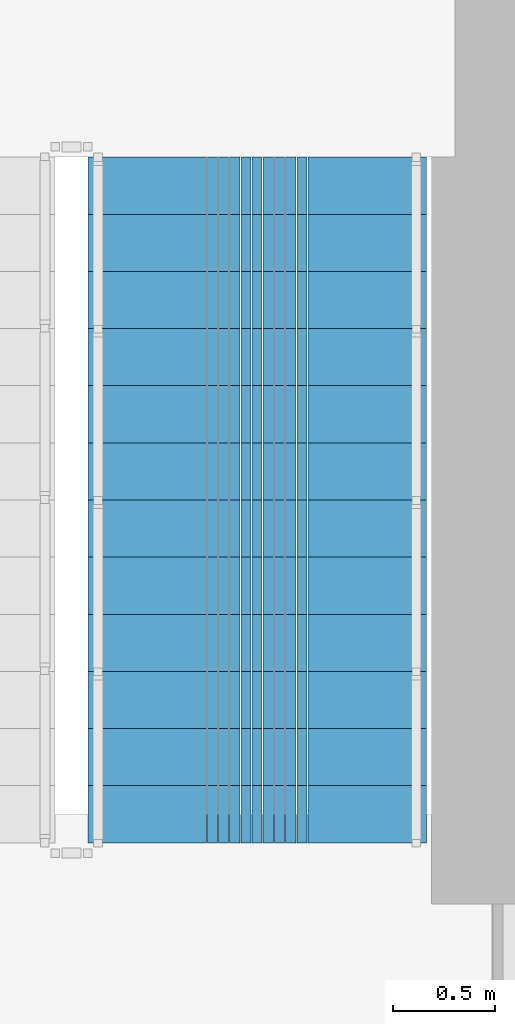
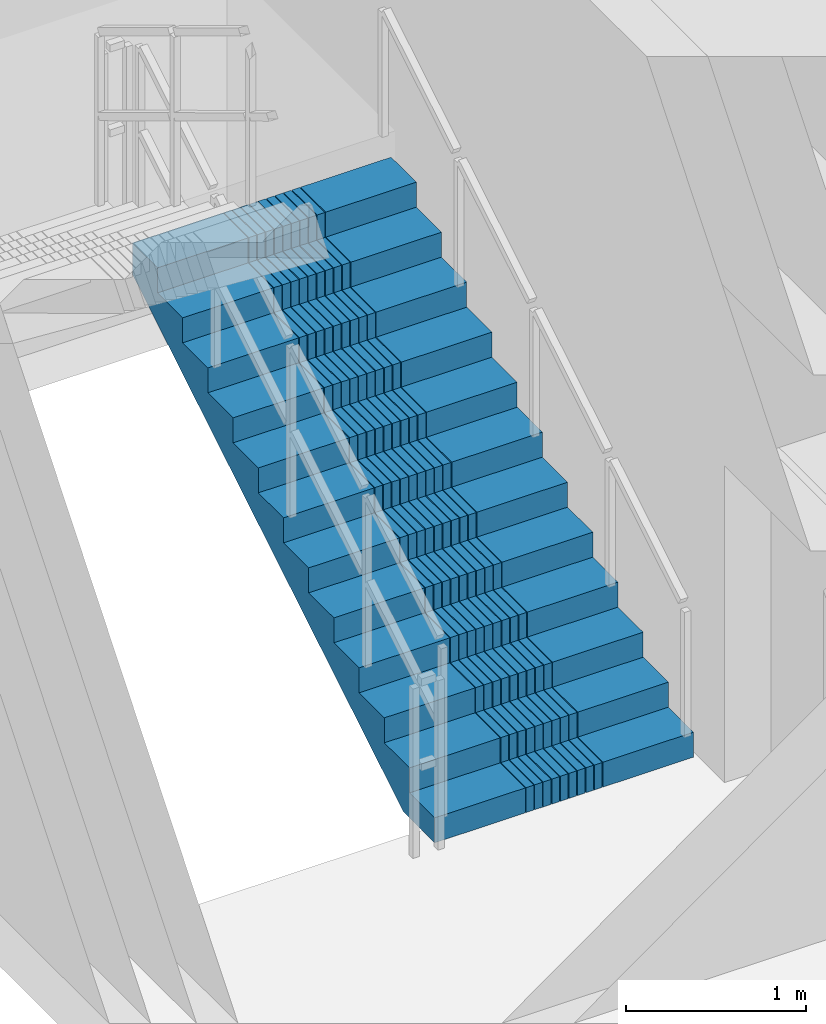
# One storey, part 23 of 28: 1 stair flight, 1 element without a shape of its own.
"""IFC4 building model written with IfcOpenShell, lengths in metres."""

from ifc_helpers import new_model, si_unit, direction, frame, origin, place, context, subcontext, project, spatial, polyline, outline, extrude, material, type_object, element, aggregate, save


model = new_model("IFC4")

# Units and contexts
model_context = context("Model", 3, precision=1e-05, world=origin(), true_north=direction((0.0, 1.0)))
body_context = subcontext(model_context, "Body", "Model", "MODEL_VIEW")
ifc_project = project(units=[si_unit("LENGTHUNIT", "METRE"), si_unit("AREAUNIT", "SQUARE_METRE"), si_unit("VOLUMEUNIT", "CUBIC_METRE"), si_unit("PLANEANGLEUNIT", "RADIAN"), si_unit("MASSUNIT", "GRAM", prefix="KILO")], contexts=[model_context])

# Site, building, storey
site_placement = place(None, origin())
site = spatial("IfcSite", under=ifc_project, at=site_placement, CompositionType="ELEMENT")
building_placement = place(site_placement, origin())
building = spatial("IfcBuilding", under=site, at=building_placement, Name="Saelheon Loggia Tower", CompositionType="ELEMENT")
storey_placement = place(building_placement, frame((0.0, 0.0, 15.0)))
storey = spatial("IfcBuildingStorey", under=building, at=storey_placement, Name="L04", CompositionType="ELEMENT", Elevation=15.0)

# Stair, stair flight
ifc_material = material(Name="Concrete C40/50", Category="concrete")
stair_type = type_object("IfcStairType", Name="Stair_Escape_Core", PredefinedType="HALF_TURN_STAIR", material=ifc_material)
stair_placement = place(storey_placement, origin())
stair = element("IfcStair", 1, at=stair_placement, inside=storey, type_object=stair_type, Name="L04 Special Escape Stair ST2", PredefinedType="HALF_TURN_STAIR")
stair_flight_type = type_object("IfcStairFlightType", Name="StairFlight_Tower_1660", PredefinedType="STRAIGHT", material=ifc_material)
stair_flight_placement = place(storey_placement, frame((43.320068359375, 30.449951171875, 0.0), z_axis=(0.0, 0.0, 1.0), x_axis=(0.0, 1.0, 0.0)))
stair_flight = element("IfcStairFlight", 2, at=stair_flight_placement, type_object=stair_flight_type, Name="ST2 flight 1", NumberOfRisers=13, NumberOfTreads=12, PredefinedType="STRAIGHT", RiserHeight=0.169230769, TreadLength=0.28, context=body_context, shape_type="SweptSolid", body=[
    extrude(outline(polyline([(0.0, 0.0), (0.0, 0.169189453125), (0.280029296875, 0.169189453125), (0.280029296875, 0.33837890625), (0.56005859375, 0.33837890625), (0.56005859375, 0.5078125), (0.840087890625, 0.5078125), (0.840087890625, 0.677001953125), (1.1201171875, 0.677001953125), (1.1201171875, 0.84619140625), (1.39990234375, 0.84619140625), (1.39990234375, 1.015380859375), (1.679931640625, 1.015380859375), (1.679931640625, 1.1845703125), (1.9599609375, 1.1845703125), (1.9599609375, 1.353759765625), (2.239990234375, 1.353759765625), (2.239990234375, 1.523193359375), (2.52001953125, 1.523193359375), (2.52001953125, 1.6923828125), (2.800048828125, 1.6923828125), (2.800048828125, 1.861572265625), (3.080078125, 1.861572265625), (3.080078125, 2.03076171875), (3.360107421875, 2.03076171875), (3.360107421875, 2.199951171875), (3.360107421875, 1.820556640625), (0.347900390625, 0.0), (0.0, 0.0)])), frame((0.0, -0.2490234375, 0.0), z_axis=(0.0, -1.0, 0.0), x_axis=(1.0, 0.0, 0.0)), (0.0, 0.0, 1.0), 0.5810546875),
    extrude(outline(polyline([(0.0, 0.0), (0.0, 0.169189453125), (0.280029296875, 0.169189453125), (0.280029296875, 0.33837890625), (0.56005859375, 0.33837890625), (0.56005859375, 0.5078125), (0.840087890625, 0.5078125), (0.840087890625, 0.677001953125), (1.1201171875, 0.677001953125), (1.1201171875, 0.84619140625), (1.39990234375, 0.84619140625), (1.39990234375, 1.015380859375), (1.679931640625, 1.015380859375), (1.679931640625, 1.1845703125), (1.9599609375, 1.1845703125), (1.9599609375, 1.353759765625), (2.239990234375, 1.353759765625), (2.239990234375, 1.523193359375), (2.52001953125, 1.523193359375), (2.52001953125, 1.6923828125), (2.800048828125, 1.6923828125), (2.800048828125, 1.861572265625), (3.080078125, 1.861572265625), (3.080078125, 2.03076171875), (3.360107421875, 2.03076171875), (3.360107421875, 2.199951171875), (3.360107421875, 1.820556640625), (0.347900390625, 0.0), (0.0, 0.0)])), frame((0.0, -0.194091796875, 0.0), z_axis=(0.0, -1.0, 0.0), x_axis=(1.0, 0.0, 0.0)), (0.0, 0.0, 1.0), 0.0498046875),
    extrude(outline(polyline([(0.0, 0.0), (0.0, 0.169189453125), (0.280029296875, 0.169189453125), (0.280029296875, 0.33837890625), (0.56005859375, 0.33837890625), (0.56005859375, 0.5078125), (0.840087890625, 0.5078125), (0.840087890625, 0.677001953125), (1.1201171875, 0.677001953125), (1.1201171875, 0.84619140625), (1.39990234375, 0.84619140625), (1.39990234375, 1.015380859375), (1.679931640625, 1.015380859375), (1.679931640625, 1.1845703125), (1.9599609375, 1.1845703125), (1.9599609375, 1.353759765625), (2.239990234375, 1.353759765625), (2.239990234375, 1.523193359375), (2.52001953125, 1.523193359375), (2.52001953125, 1.6923828125), (2.800048828125, 1.6923828125), (2.800048828125, 1.861572265625), (3.080078125, 1.861572265625), (3.080078125, 2.03076171875), (3.360107421875, 2.03076171875), (3.360107421875, 2.199951171875), (3.360107421875, 1.820556640625), (0.347900390625, 0.0), (0.0, 0.0)])), frame((0.0, -0.139404296875, 0.0), z_axis=(0.0, -1.0, 0.0), x_axis=(1.0, 0.0, 0.0)), (0.0, 0.0, 1.0), 0.0498046875),
    extrude(outline(polyline([(0.0, 0.0), (0.0, 0.169189453125), (0.280029296875, 0.169189453125), (0.280029296875, 0.33837890625), (0.56005859375, 0.33837890625), (0.56005859375, 0.5078125), (0.840087890625, 0.5078125), (0.840087890625, 0.677001953125), (1.1201171875, 0.677001953125), (1.1201171875, 0.84619140625), (1.39990234375, 0.84619140625), (1.39990234375, 1.015380859375), (1.679931640625, 1.015380859375), (1.679931640625, 1.1845703125), (1.9599609375, 1.1845703125), (1.9599609375, 1.353759765625), (2.239990234375, 1.353759765625), (2.239990234375, 1.523193359375), (2.52001953125, 1.523193359375), (2.52001953125, 1.6923828125), (2.800048828125, 1.6923828125), (2.800048828125, 1.861572265625), (3.080078125, 1.861572265625), (3.080078125, 2.03076171875), (3.360107421875, 2.03076171875), (3.360107421875, 2.199951171875), (3.360107421875, 1.820556640625), (0.347900390625, 0.0), (0.0, 0.0)])), frame((0.0, -0.084716796875, 0.0), z_axis=(0.0, -1.0, 0.0), x_axis=(1.0, 0.0, 0.0)), (0.0, 0.0, 1.0), 0.0498046875),
    extrude(outline(polyline([(0.0, 0.0), (0.0, 0.169189453125), (0.280029296875, 0.169189453125), (0.280029296875, 0.33837890625), (0.56005859375, 0.33837890625), (0.56005859375, 0.5078125), (0.840087890625, 0.5078125), (0.840087890625, 0.677001953125), (1.1201171875, 0.677001953125), (1.1201171875, 0.84619140625), (1.39990234375, 0.84619140625), (1.39990234375, 1.015380859375), (1.679931640625, 1.015380859375), (1.679931640625, 1.1845703125), (1.9599609375, 1.1845703125), (1.9599609375, 1.353759765625), (2.239990234375, 1.353759765625), (2.239990234375, 1.523193359375), (2.52001953125, 1.523193359375), (2.52001953125, 1.6923828125), (2.800048828125, 1.6923828125), (2.800048828125, 1.861572265625), (3.080078125, 1.861572265625), (3.080078125, 2.03076171875), (3.360107421875, 2.03076171875), (3.360107421875, 2.199951171875), (3.360107421875, 1.820556640625), (0.347900390625, 0.0), (0.0, 0.0)])), frame((0.0, -0.02978515625, 0.0), z_axis=(0.0, -1.0, 0.0), x_axis=(1.0, 0.0, 0.0)), (0.0, 0.0, 1.0), 0.0498046875),
    extrude(outline(polyline([(0.0, 0.0), (0.0, 0.169189453125), (0.280029296875, 0.169189453125), (0.280029296875, 0.33837890625), (0.56005859375, 0.33837890625), (0.56005859375, 0.5078125), (0.840087890625, 0.5078125), (0.840087890625, 0.677001953125), (1.1201171875, 0.677001953125), (1.1201171875, 0.84619140625), (1.39990234375, 0.84619140625), (1.39990234375, 1.015380859375), (1.679931640625, 1.015380859375), (1.679931640625, 1.1845703125), (1.9599609375, 1.1845703125), (1.9599609375, 1.353759765625), (2.239990234375, 1.353759765625), (2.239990234375, 1.523193359375), (2.52001953125, 1.523193359375), (2.52001953125, 1.6923828125), (2.800048828125, 1.6923828125), (2.800048828125, 1.861572265625), (3.080078125, 1.861572265625), (3.080078125, 2.03076171875), (3.360107421875, 2.03076171875), (3.360107421875, 2.199951171875), (3.360107421875, 1.820556640625), (0.347900390625, 0.0), (0.0, 0.0)])), frame((0.0, 0.02490234375, 0.0), z_axis=(0.0, -1.0, 0.0), x_axis=(1.0, 0.0, 0.0)), (0.0, 0.0, 1.0), 0.0498046875),
    extrude(outline(polyline([(0.0, 0.0), (0.0, 0.169189453125), (0.280029296875, 0.169189453125), (0.280029296875, 0.33837890625), (0.56005859375, 0.33837890625), (0.56005859375, 0.5078125), (0.840087890625, 0.5078125), (0.840087890625, 0.677001953125), (1.1201171875, 0.677001953125), (1.1201171875, 0.84619140625), (1.39990234375, 0.84619140625), (1.39990234375, 1.015380859375), (1.679931640625, 1.015380859375), (1.679931640625, 1.1845703125), (1.9599609375, 1.1845703125), (1.9599609375, 1.353759765625), (2.239990234375, 1.353759765625), (2.239990234375, 1.523193359375), (2.52001953125, 1.523193359375), (2.52001953125, 1.6923828125), (2.800048828125, 1.6923828125), (2.800048828125, 1.861572265625), (3.080078125, 1.861572265625), (3.080078125, 2.03076171875), (3.360107421875, 2.03076171875), (3.360107421875, 2.199951171875), (3.360107421875, 1.820556640625), (0.347900390625, 0.0), (0.0, 0.0)])), frame((0.0, 0.07958984375, 0.0), z_axis=(0.0, -1.0, 0.0), x_axis=(1.0, 0.0, 0.0)), (0.0, 0.0, 1.0), 0.0498046875),
    extrude(outline(polyline([(0.0, 0.0), (0.0, 0.169189453125), (0.280029296875, 0.169189453125), (0.280029296875, 0.33837890625), (0.56005859375, 0.33837890625), (0.56005859375, 0.5078125), (0.840087890625, 0.5078125), (0.840087890625, 0.677001953125), (1.1201171875, 0.677001953125), (1.1201171875, 0.84619140625), (1.39990234375, 0.84619140625), (1.39990234375, 1.015380859375), (1.679931640625, 1.015380859375), (1.679931640625, 1.1845703125), (1.9599609375, 1.1845703125), (1.9599609375, 1.353759765625), (2.239990234375, 1.353759765625), (2.239990234375, 1.523193359375), (2.52001953125, 1.523193359375), (2.52001953125, 1.6923828125), (2.800048828125, 1.6923828125), (2.800048828125, 1.861572265625), (3.080078125, 1.861572265625), (3.080078125, 2.03076171875), (3.360107421875, 2.03076171875), (3.360107421875, 2.199951171875), (3.360107421875, 1.820556640625), (0.347900390625, 0.0), (0.0, 0.0)])), frame((0.0, 0.134521484375, 0.0), z_axis=(0.0, -1.0, 0.0), x_axis=(1.0, 0.0, 0.0)), (0.0, 0.0, 1.0), 0.0498046875),
    extrude(outline(polyline([(0.0, 0.0), (0.0, 0.169189453125), (0.280029296875, 0.169189453125), (0.280029296875, 0.33837890625), (0.56005859375, 0.33837890625), (0.56005859375, 0.5078125), (0.840087890625, 0.5078125), (0.840087890625, 0.677001953125), (1.1201171875, 0.677001953125), (1.1201171875, 0.84619140625), (1.39990234375, 0.84619140625), (1.39990234375, 1.015380859375), (1.679931640625, 1.015380859375), (1.679931640625, 1.1845703125), (1.9599609375, 1.1845703125), (1.9599609375, 1.353759765625), (2.239990234375, 1.353759765625), (2.239990234375, 1.523193359375), (2.52001953125, 1.523193359375), (2.52001953125, 1.6923828125), (2.800048828125, 1.6923828125), (2.800048828125, 1.861572265625), (3.080078125, 1.861572265625), (3.080078125, 2.03076171875), (3.360107421875, 2.03076171875), (3.360107421875, 2.199951171875), (3.360107421875, 1.820556640625), (0.347900390625, 0.0), (0.0, 0.0)])), frame((0.0, 0.189208984375, 0.0), z_axis=(0.0, -1.0, 0.0), x_axis=(1.0, 0.0, 0.0)), (0.0, 0.0, 1.0), 0.0498046875),
    extrude(outline(polyline([(0.0, 0.0), (0.0, 0.169189453125), (0.280029296875, 0.169189453125), (0.280029296875, 0.33837890625), (0.56005859375, 0.33837890625), (0.56005859375, 0.5078125), (0.840087890625, 0.5078125), (0.840087890625, 0.677001953125), (1.1201171875, 0.677001953125), (1.1201171875, 0.84619140625), (1.39990234375, 0.84619140625), (1.39990234375, 1.015380859375), (1.679931640625, 1.015380859375), (1.679931640625, 1.1845703125), (1.9599609375, 1.1845703125), (1.9599609375, 1.353759765625), (2.239990234375, 1.353759765625), (2.239990234375, 1.523193359375), (2.52001953125, 1.523193359375), (2.52001953125, 1.6923828125), (2.800048828125, 1.6923828125), (2.800048828125, 1.861572265625), (3.080078125, 1.861572265625), (3.080078125, 2.03076171875), (3.360107421875, 2.03076171875), (3.360107421875, 2.199951171875), (3.360107421875, 1.820556640625), (0.347900390625, 0.0), (0.0, 0.0)])), frame((0.0, 0.243896484375, 0.0), z_axis=(0.0, -1.0, 0.0), x_axis=(1.0, 0.0, 0.0)), (0.0, 0.0, 1.0), 0.0498046875),
    extrude(outline(polyline([(0.0, 0.0), (0.0, 0.169189453125), (0.280029296875, 0.169189453125), (0.280029296875, 0.33837890625), (0.56005859375, 0.33837890625), (0.56005859375, 0.5078125), (0.840087890625, 0.5078125), (0.840087890625, 0.677001953125), (1.1201171875, 0.677001953125), (1.1201171875, 0.84619140625), (1.39990234375, 0.84619140625), (1.39990234375, 1.015380859375), (1.679931640625, 1.015380859375), (1.679931640625, 1.1845703125), (1.9599609375, 1.1845703125), (1.9599609375, 1.353759765625), (2.239990234375, 1.353759765625), (2.239990234375, 1.523193359375), (2.52001953125, 1.523193359375), (2.52001953125, 1.6923828125), (2.800048828125, 1.6923828125), (2.800048828125, 1.861572265625), (3.080078125, 1.861572265625), (3.080078125, 2.03076171875), (3.360107421875, 2.03076171875), (3.360107421875, 2.199951171875), (3.360107421875, 1.820556640625), (0.347900390625, 0.0), (0.0, 0.0)])), frame((0.0, 0.830078125, 0.0), z_axis=(0.0, -1.0, 0.0), x_axis=(1.0, 0.0, 0.0)), (0.0, 0.0, 1.0), 0.5810546875),
])
aggregate(stair, [stair_flight])

save(model, "model.ifc")
